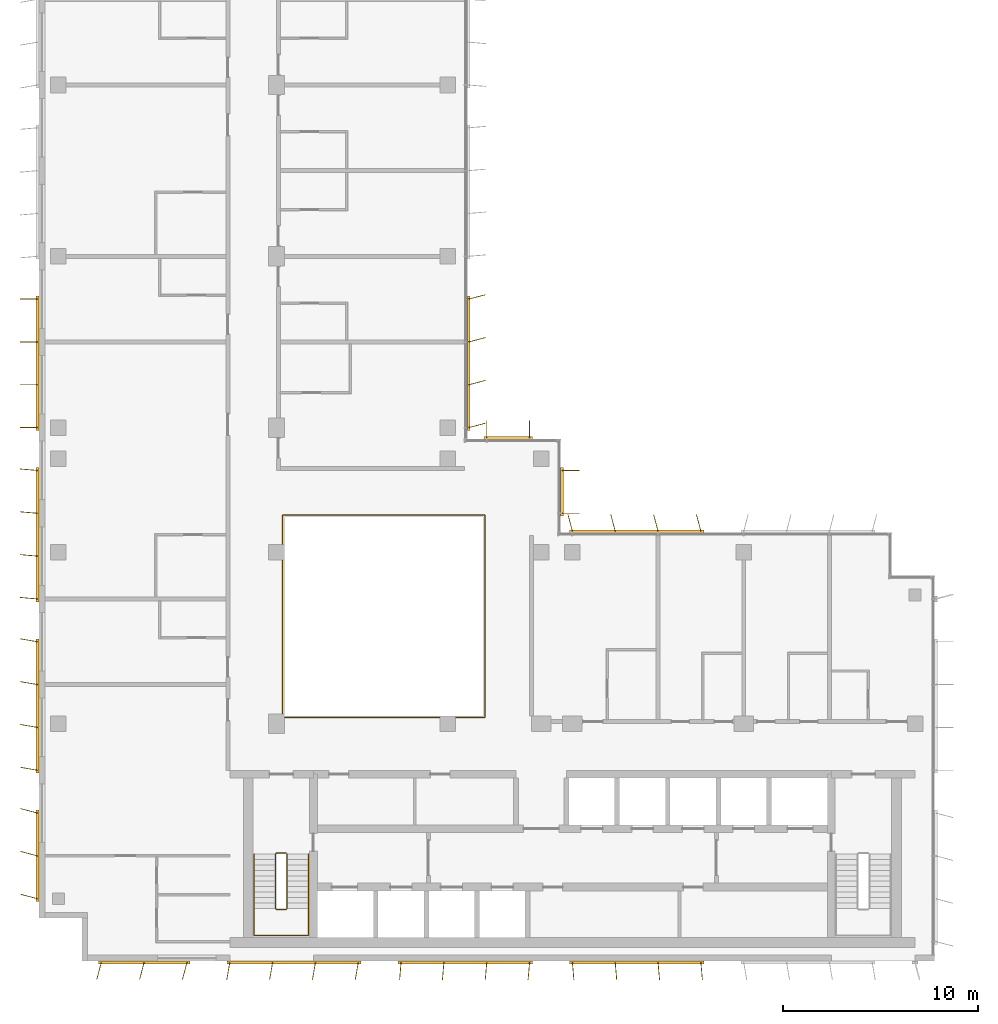
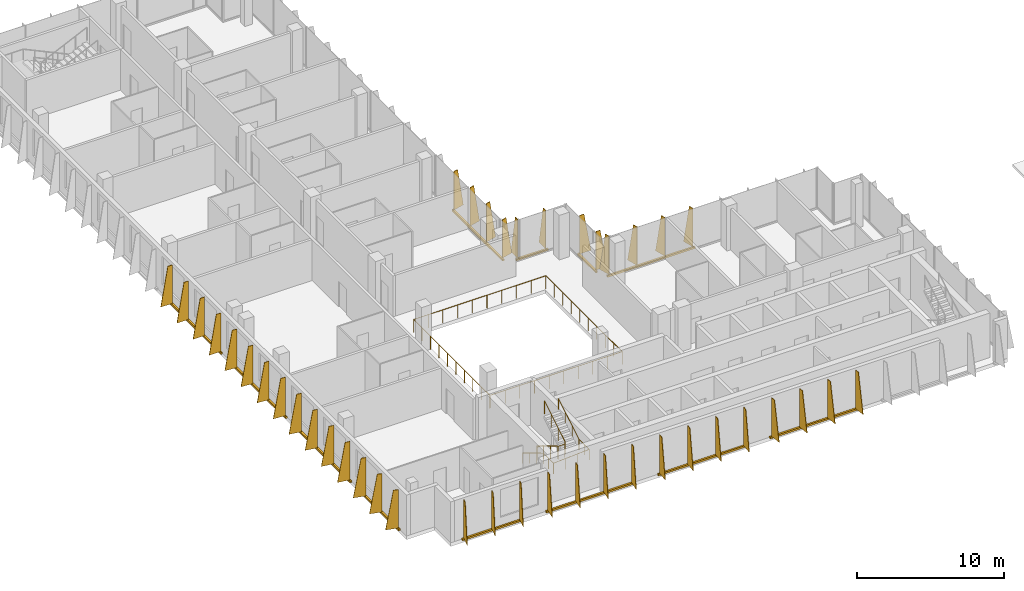
# One storey, part 15 of 17: 12 shading devices, 3 railings.
"""IFC4 building model written with IfcOpenShell, lengths in metres."""

from ifc_helpers import new_model, si_unit, direction, frame, origin, origin_2d, place, context, subcontext, project, spatial, polyline, rectangle, circle, outline, extrude, source, transform, mapped, material, layer, layer_set, type_object, element, save


model = new_model("IFC4")

# Units and contexts
model_context = context("Model", 3, precision=1e-05, world=origin(), true_north=direction((0.0, 1.0)))
body_context = subcontext(model_context, "Body", "Model", "MODEL_VIEW")
ifc_project = project(units=[si_unit("LENGTHUNIT", "METRE"), si_unit("AREAUNIT", "SQUARE_METRE"), si_unit("VOLUMEUNIT", "CUBIC_METRE"), si_unit("PLANEANGLEUNIT", "RADIAN"), si_unit("MASSUNIT", "GRAM", prefix="KILO")], contexts=[model_context])

# Site, building, storey
site_placement = place(None, origin())
site = spatial("IfcSite", under=ifc_project, at=site_placement, CompositionType="ELEMENT")
building_placement = place(site_placement, origin())
building = spatial("IfcBuilding", under=site, at=building_placement, Name="Kemantara Hotel Tower", CompositionType="ELEMENT")
storey_placement = place(building_placement, frame((0.0, 0.0, 226.5)))
storey = spatial("IfcBuildingStorey", under=building, at=storey_placement, Name="L56", CompositionType="ELEMENT", Elevation=226.5)

# Railings
ifc_material_1 = material(Name="Stainless steel and laminated glass balustrade", Category="steel")
railing_type_1 = type_object("IfcRailingType", Name="ATRIUM GUARD 1100", PredefinedType="GUARDRAIL", material=ifc_material_1)
railing_1_placement = place(storey_placement, frame((12.56005859375, 12.5, 0.0)))
element("IfcRailing", 1, at=railing_1_placement, inside=storey, type_object=railing_type_1, Name="ATRIUM GUARD L56", PredefinedType="GUARDRAIL", context=body_context, shape_type="SweptSolid", body=[
    extrude(circle(Radius=0.02490234375, at=origin_2d()), frame((0.0, 0.0, 1.0751953125), z_axis=(1.0, 0.0, 0.0), x_axis=(0.0, 1.0, 0.0)), (0.0, 0.0, 1.0), 10.33984375),
    extrude(circle(Radius=0.02490234375, at=origin_2d()), frame((10.33984375, 0.0, 1.0751953125), z_axis=(0.0, 1.0, 0.0), x_axis=(-1.0, 0.0, 0.0)), (0.0, 0.0, 1.0), 10.39990234375),
    extrude(circle(Radius=0.02490234375, at=origin_2d()), frame((10.33984375, 10.39990234375, 1.0751953125), z_axis=(-1.0, 0.0, 0.0), x_axis=(0.0, -1.0, 0.0)), (0.0, 0.0, 1.0), 10.39990234375),
    extrude(circle(Radius=0.02490234375, at=origin_2d()), frame((-0.06005859375, 10.39990234375, 1.0751953125), z_axis=(0.0, -1.0, 0.0), x_axis=(1.0, 0.0, 0.0)), (0.0, 0.0, 1.0), 10.39990234375),
    extrude(circle(Radius=0.02001953125, at=origin_2d()), origin(), (0.0, 0.0, 1.0), 1.050048828125),
    extrude(circle(Radius=0.02001953125, at=origin_2d()), frame((1.14892578125, 0.0, 0.0)), (0.0, 0.0, 1.0), 1.050048828125),
    extrude(circle(Radius=0.02001953125, at=origin_2d()), frame((2.2978515625, 0.0, 0.0)), (0.0, 0.0, 1.0), 1.050048828125),
    extrude(circle(Radius=0.02001953125, at=origin_2d()), frame((3.446533203125, 0.0, 0.0)), (0.0, 0.0, 1.0), 1.050048828125),
    extrude(circle(Radius=0.02001953125, at=origin_2d()), frame((4.595458984375, 0.0, 0.0)), (0.0, 0.0, 1.0), 1.050048828125),
    extrude(circle(Radius=0.02001953125, at=origin_2d()), frame((5.744384765625, 0.0, 0.0)), (0.0, 0.0, 1.0), 1.050048828125),
    extrude(circle(Radius=0.02001953125, at=origin_2d()), frame((6.893310546875, 0.0, 0.0)), (0.0, 0.0, 1.0), 1.050048828125),
    extrude(circle(Radius=0.02001953125, at=origin_2d()), frame((8.0419921875, 0.0, 0.0)), (0.0, 0.0, 1.0), 1.050048828125),
    extrude(circle(Radius=0.02001953125, at=origin_2d()), frame((9.19091796875, 0.0, 0.0)), (0.0, 0.0, 1.0), 1.050048828125),
    extrude(circle(Radius=0.02001953125, at=origin_2d()), frame((10.33984375, 0.0, 0.0)), (0.0, 0.0, 1.0), 1.050048828125),
    extrude(circle(Radius=0.02001953125, at=origin_2d()), frame((10.33984375, 1.155517578125, 0.0)), (0.0, 0.0, 1.0), 1.050048828125),
    extrude(circle(Radius=0.02001953125, at=origin_2d()), frame((10.33984375, 2.31103515625, 0.0)), (0.0, 0.0, 1.0), 1.050048828125),
    extrude(circle(Radius=0.02001953125, at=origin_2d()), frame((10.33984375, 3.466552734375, 0.0)), (0.0, 0.0, 1.0), 1.050048828125),
    extrude(circle(Radius=0.02001953125, at=origin_2d()), frame((10.33984375, 4.6220703125, 0.0)), (0.0, 0.0, 1.0), 1.050048828125),
    extrude(circle(Radius=0.02001953125, at=origin_2d()), frame((10.33984375, 5.77783203125, 0.0)), (0.0, 0.0, 1.0), 1.050048828125),
    extrude(circle(Radius=0.02001953125, at=origin_2d()), frame((10.33984375, 6.933349609375, 0.0)), (0.0, 0.0, 1.0), 1.050048828125),
    extrude(circle(Radius=0.02001953125, at=origin_2d()), frame((10.33984375, 8.0888671875, 0.0)), (0.0, 0.0, 1.0), 1.050048828125),
    extrude(circle(Radius=0.02001953125, at=origin_2d()), frame((10.33984375, 9.244384765625, 0.0)), (0.0, 0.0, 1.0), 1.050048828125),
    extrude(circle(Radius=0.02001953125, at=origin_2d()), frame((10.33984375, 10.39990234375, 0.0)), (0.0, 0.0, 1.0), 1.050048828125),
    extrude(circle(Radius=0.02001953125, at=origin_2d()), frame((9.184326171875, 10.39990234375, 0.0)), (0.0, 0.0, 1.0), 1.050048828125),
    extrude(circle(Radius=0.02001953125, at=origin_2d()), frame((8.02880859375, 10.39990234375, 0.0)), (0.0, 0.0, 1.0), 1.050048828125),
    extrude(circle(Radius=0.02001953125, at=origin_2d()), frame((6.873291015625, 10.39990234375, 0.0)), (0.0, 0.0, 1.0), 1.050048828125),
    extrude(circle(Radius=0.02001953125, at=origin_2d()), frame((5.7177734375, 10.39990234375, 0.0)), (0.0, 0.0, 1.0), 1.050048828125),
    extrude(circle(Radius=0.02001953125, at=origin_2d()), frame((4.56201171875, 10.39990234375, 0.0)), (0.0, 0.0, 1.0), 1.050048828125),
    extrude(circle(Radius=0.02001953125, at=origin_2d()), frame((3.406494140625, 10.39990234375, 0.0)), (0.0, 0.0, 1.0), 1.050048828125),
    extrude(circle(Radius=0.02001953125, at=origin_2d()), frame((2.2509765625, 10.39990234375, 0.0)), (0.0, 0.0, 1.0), 1.050048828125),
    extrude(circle(Radius=0.02001953125, at=origin_2d()), frame((1.095458984375, 10.39990234375, 0.0)), (0.0, 0.0, 1.0), 1.050048828125),
    extrude(circle(Radius=0.02001953125, at=origin_2d()), frame((-0.06005859375, 10.39990234375, 0.0)), (0.0, 0.0, 1.0), 1.050048828125),
    extrude(circle(Radius=0.02001953125, at=origin_2d()), frame((-0.06005859375, 9.244384765625, 0.0)), (0.0, 0.0, 1.0), 1.050048828125),
    extrude(circle(Radius=0.02001953125, at=origin_2d()), frame((-0.06005859375, 8.0888671875, 0.0)), (0.0, 0.0, 1.0), 1.050048828125),
    extrude(circle(Radius=0.02001953125, at=origin_2d()), frame((-0.06005859375, 6.933349609375, 0.0)), (0.0, 0.0, 1.0), 1.050048828125),
    extrude(circle(Radius=0.02001953125, at=origin_2d()), frame((-0.06005859375, 5.77783203125, 0.0)), (0.0, 0.0, 1.0), 1.050048828125),
    extrude(circle(Radius=0.02001953125, at=origin_2d()), frame((-0.06005859375, 4.6220703125, 0.0)), (0.0, 0.0, 1.0), 1.050048828125),
    extrude(circle(Radius=0.02001953125, at=origin_2d()), frame((-0.06005859375, 3.466552734375, 0.0)), (0.0, 0.0, 1.0), 1.050048828125),
    extrude(circle(Radius=0.02001953125, at=origin_2d()), frame((-0.06005859375, 2.31103515625, 0.0)), (0.0, 0.0, 1.0), 1.050048828125),
    extrude(circle(Radius=0.02001953125, at=origin_2d()), frame((-0.06005859375, 1.155517578125, 0.0)), (0.0, 0.0, 1.0), 1.050048828125),
    extrude(circle(Radius=0.02001953125, at=origin_2d()), frame((-0.06005859375, 0.0, 0.0)), (0.0, 0.0, 1.0), 1.050048828125),
])
ifc_material_2 = material(Name="Stainless steel balustrade", Category="steel")
railing_type_2 = type_object("IfcRailingType", Name="Stair guard 1100 mm", PredefinedType="GUARDRAIL", material=ifc_material_2)
railing_2_placement = place(storey_placement, frame((12.75, 5.5, 3.699951171875)))
element("IfcRailing", 2, at=railing_2_placement, inside=storey, type_object=railing_type_2, Name="L56 ST1 stair guard 1", PredefinedType="GUARDRAIL", context=body_context, shape_type="SweptSolid", body=[
    extrude(circle(Radius=0.02392578125, at=origin_2d()), frame((0.0, 0.0, 1.076171875), z_axis=(0.0, -0.857242210791, -0.514913383045), x_axis=(1.0, 0.0, 0.0)), (0.0, 0.0, 1.0), 3.266357421875),
    extrude(circle(Radius=0.02392578125, at=origin_2d()), frame((0.0, -2.800048828125, -0.60595703125), z_axis=(-0.274582412415, -0.274582412415, -0.921525364591), x_axis=(0.707106781187, -0.707106781187, 0.0)), (0.0, 0.0, 1.0), 0.182373046875),
    extrude(circle(Radius=0.02392578125, at=origin_2d()), frame((-0.050048828125, -2.85009765625, -0.77392578125), z_axis=(-1.0, 0.0, 0.0), x_axis=(0.0, -1.0, 0.0)), (0.0, 0.0, 1.0), 0.5),
    extrude(circle(Radius=0.02392578125, at=origin_2d()), frame((-0.550048828125, -2.85009765625, -0.77392578125), z_axis=(-0.707106781187, 0.707106781187, 0.0), x_axis=(-0.707106781187, -0.707106781187, 0.0)), (0.0, 0.0, 1.0), 0.07080078125),
    extrude(circle(Radius=0.02392578125, at=origin_2d()), frame((-0.60009765625, -2.800048828125, -0.77392578125), z_axis=(0.0, 0.857242210791, -0.514913383045), x_axis=(-1.0, 0.0, 0.0)), (0.0, 0.0, 1.0), 3.266357421875),
    extrude(circle(Radius=0.02392578125, at=origin_2d()), frame((-0.60009765625, 0.0, -2.45556640625), z_axis=(0.274243871929, 0.274243871929, -0.92172696468), x_axis=(-0.707106781187, 0.707106781187, 0.0)), (0.0, 0.0, 1.0), 0.1826171875),
    extrude(circle(Radius=0.02392578125, at=origin_2d()), frame((-0.550048828125, 0.050048828125, -2.6240234375), z_axis=(1.0, 0.0, 0.0), x_axis=(0.0, 1.0, 0.0)), (0.0, 0.0, 1.0), 0.5),
    extrude(circle(Radius=0.02099609375, at=origin_2d()), origin(), (0.0, 0.0, 1.0), 1.052001953125),
    extrude(circle(Radius=0.02099609375, at=origin_2d()), frame((0.0, -0.933349609375, -0.560546875)), (0.0, 0.0, 1.0), 1.052001953125),
    extrude(circle(Radius=0.02099609375, at=origin_2d()), frame((0.0, -1.86669921875, -1.121337890625)), (0.0, 0.0, 1.0), 1.052001953125),
    extrude(circle(Radius=0.02099609375, at=origin_2d()), frame((0.0, -2.800048828125, -1.681884765625)), (0.0, 0.0, 1.0), 1.052001953125),
    extrude(circle(Radius=0.02099609375, at=origin_2d()), frame((-0.050048828125, -2.85009765625, -1.849853515625)), (0.0, 0.0, 1.0), 1.052001953125),
    extrude(circle(Radius=0.02099609375, at=origin_2d()), frame((-0.550048828125, -2.85009765625, -1.849853515625)), (0.0, 0.0, 1.0), 1.052001953125),
    extrude(circle(Radius=0.02099609375, at=origin_2d()), frame((-0.60009765625, -2.800048828125, -1.849853515625)), (0.0, 0.0, 1.0), 1.052001953125),
    extrude(circle(Radius=0.02099609375, at=origin_2d()), frame((-0.60009765625, -1.86669921875, -2.410400390625)), (0.0, 0.0, 1.0), 1.052001953125),
    extrude(circle(Radius=0.02099609375, at=origin_2d()), frame((-0.60009765625, -0.933349609375, -2.97119140625)), (0.0, 0.0, 1.0), 1.052001953125),
    extrude(circle(Radius=0.02099609375, at=origin_2d()), frame((-0.60009765625, 0.0, -3.53173828125)), (0.0, 0.0, 1.0), 1.052001953125),
    extrude(circle(Radius=0.02099609375, at=origin_2d()), frame((-0.550048828125, 0.050048828125, -3.699951171875)), (0.0, 0.0, 1.0), 1.052001953125),
    extrude(circle(Radius=0.02099609375, at=origin_2d()), frame((-0.050048828125, 0.050048828125, -3.699951171875)), (0.0, 0.0, 1.0), 1.052001953125),
])
railing_type_3 = type_object("IfcRailingType", Name="Stair handrail 900 mm", PredefinedType="HANDRAIL", material=ifc_material_2)
railing_3_placement = place(storey_placement, frame((11.050048828125, 5.5, 0.168212890625)))
element("IfcRailing", 3, at=railing_3_placement, inside=storey, type_object=railing_type_3, Name="L56 ST1 stair handrail 1", PredefinedType="HANDRAIL", context=body_context, shape_type="SweptSolid", body=[
    extrude(circle(Radius=0.02392578125, at=origin_2d()), frame((0.0, 0.0, 0.8759765625), z_axis=(0.0, -0.857242210791, 0.514913383045), x_axis=(1.0, 0.0, 0.0)), (0.0, 0.0, 1.0), 3.266357421875),
    extrude(circle(Radius=0.02392578125, at=origin_2d()), frame((0.0, -2.800048828125, 2.5576171875), z_axis=(0.0, -1.0, 0.0), x_axis=(1.0, 0.0, 0.0)), (0.0, 0.0, 1.0), 1.3798828125),
    extrude(circle(Radius=0.02392578125, at=origin_2d()), frame((0.0, -4.179931640625, 2.5576171875), z_axis=(0.998205573864, 0.0, 0.059880149518), x_axis=(0.0, 1.0, 0.0)), (0.0, 0.0, 1.0), 2.80517578125),
    extrude(circle(Radius=0.02392578125, at=origin_2d()), frame((2.800048828125, -4.179931640625, 2.7255859375), z_axis=(0.0, 1.0, 0.0), x_axis=(-1.0, 0.0, 0.0)), (0.0, 0.0, 1.0), 1.3798828125),
    extrude(circle(Radius=0.02392578125, at=origin_2d()), frame((2.800048828125, -2.800048828125, 2.7255859375), z_axis=(0.0, 0.857242210791, 0.514913383045), x_axis=(-1.0, 0.0, 0.0)), (0.0, 0.0, 1.0), 3.266357421875),
    extrude(circle(Radius=0.02099609375, at=origin_2d()), origin(), (0.0, 0.0, 1.0), 0.851806640625),
    extrude(circle(Radius=0.02099609375, at=origin_2d()), frame((0.0, -0.933349609375, 0.560546875)), (0.0, 0.0, 1.0), 0.851806640625),
    extrude(circle(Radius=0.02099609375, at=origin_2d()), frame((0.0, -1.86669921875, 1.121337890625)), (0.0, 0.0, 1.0), 0.851806640625),
    extrude(circle(Radius=0.02099609375, at=origin_2d()), frame((0.0, -2.800048828125, 1.681884765625)), (0.0, 0.0, 1.0), 0.851806640625),
    extrude(circle(Radius=0.02099609375, at=origin_2d()), frame((0.0, -3.489990234375, 1.681884765625)), (0.0, 0.0, 1.0), 0.851806640625),
    extrude(circle(Radius=0.02099609375, at=origin_2d()), frame((0.0, -4.179931640625, 1.681884765625)), (0.0, 0.0, 1.0), 0.851806640625),
    extrude(circle(Radius=0.02099609375, at=origin_2d()), frame((0.933349609375, -4.179931640625, 1.73779296875)), (0.0, 0.0, 1.0), 0.851806640625),
    extrude(circle(Radius=0.02099609375, at=origin_2d()), frame((1.86669921875, -4.179931640625, 1.7939453125)), (0.0, 0.0, 1.0), 0.851806640625),
    extrude(circle(Radius=0.02099609375, at=origin_2d()), frame((2.800048828125, -4.179931640625, 1.849853515625)), (0.0, 0.0, 1.0), 0.851806640625),
    extrude(circle(Radius=0.02099609375, at=origin_2d()), frame((2.800048828125, -3.489990234375, 1.849853515625)), (0.0, 0.0, 1.0), 0.851806640625),
    extrude(circle(Radius=0.02099609375, at=origin_2d()), frame((2.800048828125, -2.800048828125, 1.849853515625)), (0.0, 0.0, 1.0), 0.851806640625),
    extrude(circle(Radius=0.02099609375, at=origin_2d()), frame((2.800048828125, -1.86669921875, 2.410400390625)), (0.0, 0.0, 1.0), 0.851806640625),
    extrude(circle(Radius=0.02099609375, at=origin_2d()), frame((2.800048828125, -0.933349609375, 2.97119140625)), (0.0, 0.0, 1.0), 0.851806640625),
    extrude(circle(Radius=0.02099609375, at=origin_2d()), frame((2.800048828125, 0.0, 3.53173828125)), (0.0, 0.0, 1.0), 0.851806640625),
])

# Shading devices
ifc_material_3 = material(Name="Perforated aluminium plate 4 mm bronze anodised", Category="aluminium")
ifc_layer_1 = layer(ifc_material_3, 0.0400390625)
ifc_layer_set_1 = layer_set([ifc_layer_1], Name="Perforated aluminium plate 4 mm bronze anodised")
shading_device_type_1 = type_object("IfcShadingDeviceType", Name="SCREEN FIN CASSETTE, 3 BLADES AT -15.0 DEG, 3200 HIGH", PredefinedType="USERDEFINED", material=ifc_layer_set_1)
shared_shape_1 = source(origin(), body_context, "Body", "SweptSolid", [
    extrude(rectangle(XDim=4.699951171875, YDim=0.14990234375, at=origin_2d()), frame((2.199951171875, -0.074951171875, -0.14990234375), z_axis=(0.0, 0.0, 1.0), x_axis=(1.0, 0.0, 0.0)), (0.0, 0.0, 1.0), 0.14990234375),
    extrude(outline(polyline([(0.0, 0.0), (0.89990234375, 0.0), (0.35009765625, 3.199951171875), (0.0, 3.199951171875), (0.0, 0.0)])), frame((0.019287109375, -0.080078125, 0.0), z_axis=(-0.966437683387, 0.256901156343, 0.0), x_axis=(-0.256901156343, -0.966437683387, 0.0)), (0.0, 0.0, 1.0), 0.039794921875),
    extrude(outline(polyline([(0.0, 0.0), (0.89990234375, 0.0), (0.35009765625, 3.199951171875), (0.0, 3.199951171875), (0.0, 0.0)])), frame((2.21923828125, -0.080078125, 0.0), z_axis=(-0.966437683387, 0.256901156343, 0.0), x_axis=(-0.256901156343, -0.966437683387, 0.0)), (0.0, 0.0, 1.0), 0.039794921875),
    extrude(outline(polyline([(0.0, 0.0), (0.89990234375, 0.0), (0.35009765625, 3.199951171875), (0.0, 3.199951171875), (0.0, 0.0)])), frame((4.41943359375, -0.080078125, 0.0), z_axis=(-0.966837822169, 0.255391122837, 0.0), x_axis=(-0.255391122837, -0.966837822169, 0.0)), (0.0, 0.0, 1.0), 0.0400390625),
])
for number, where, z_axis, x_axis, name in (
    (4, (0.0, 7.60009765625, 0.10009765625), (0.0, 0.0, 1.0), (0.0, -1.0, 0.0), "SCREEN FIN CASSETTE L56 T4-R05-7"),
    (5, (3.199951171875, 0.0, 0.10009765625), (0.0, 0.0, 1.0), (1.0, 0.0, 0.0), "SCREEN FIN CASSETTE L56 T4-R08-1"),
):
    element("IfcShadingDevice", number, at=place(storey_placement, frame(where, z_axis=z_axis, x_axis=x_axis)), inside=storey, type_object=shading_device_type_1, Name=name, ObjectType="SCREEN FIN", PredefinedType="USERDEFINED", context=body_context, shape_type="MappedRepresentation", body=[
        mapped(shared_shape_1, transform((0.0, 0.0, 0.0))),
    ])
ifc_layer_2 = layer(ifc_material_3, 0.0400390625)
ifc_layer_set_2 = layer_set([ifc_layer_2], Name="Perforated aluminium plate 4 mm bronze anodised")
shading_device_type_2 = type_object("IfcShadingDeviceType", Name="SCREEN FIN CASSETTE, 4 BLADES AT -10.0 DEG, 3200 HIGH", PredefinedType="USERDEFINED", material=ifc_layer_set_2)
shared_shape_2 = source(origin(), body_context, "Body", "SweptSolid", [
    extrude(rectangle(XDim=6.89990234375, YDim=0.14990234375, at=origin_2d()), frame((3.300048828125, -0.074951171875, -0.14990234375), z_axis=(0.0, 0.0, 1.0), x_axis=(1.0, 0.0, 0.0)), (0.0, 0.0, 1.0), 0.14990234375),
    extrude(outline(polyline([(0.0, 0.0), (0.89990234375, 0.0), (0.35009765625, 3.199951171875), (0.0, 3.199951171875), (0.0, 0.0)])), frame((0.019775390625, -0.078369140625, 0.0), z_axis=(-0.985389793052, 0.170314285219, 0.0), x_axis=(-0.170314285219, -0.985389793052, 0.0)), (0.0, 0.0, 1.0), 0.0400390625),
    extrude(outline(polyline([(0.0, 0.0), (0.89990234375, 0.0), (0.35009765625, 3.199951171875), (0.0, 3.199951171875), (0.0, 0.0)])), frame((2.2197265625, -0.078369140625, 0.0), z_axis=(-0.98521175482, 0.171341174751, 0.0), x_axis=(-0.171341174751, -0.98521175482, 0.0)), (0.0, 0.0, 1.0), 0.039794921875),
    extrude(outline(polyline([(0.0, 0.0), (0.89990234375, 0.0), (0.35009765625, 3.199951171875), (0.0, 3.199951171875), (0.0, 0.0)])), frame((4.419677734375, -0.078369140625, 0.0), z_axis=(-0.98521175482, 0.171341174751, 0.0), x_axis=(-0.171341174751, -0.98521175482, 0.0)), (0.0, 0.0, 1.0), 0.039794921875),
    extrude(outline(polyline([(0.0, 0.0), (0.89990234375, 0.0), (0.35009765625, 3.199951171875), (0.0, 3.199951171875), (0.0, 0.0)])), frame((6.61962890625, -0.078369140625, 0.0), z_axis=(-0.98521175482, 0.171341174751, 0.0), x_axis=(-0.171341174751, -0.98521175482, 0.0)), (0.0, 0.0, 1.0), 0.039794921875),
])
for number, where, z_axis, x_axis, name in (
    (6, (0.0, 16.39990234375, 0.10009765625), (0.0, 0.0, 1.0), (0.0, -1.0, 0.0), "SCREEN FIN CASSETTE L56 T4-R05-6"),
    (7, (9.800048828125, 0.0, 0.10009765625), (0.0, 0.0, 1.0), (1.0, 0.0, 0.0), "SCREEN FIN CASSETTE L56 T4-R08-2"),
):
    element("IfcShadingDevice", number, at=place(storey_placement, frame(where, z_axis=z_axis, x_axis=x_axis)), inside=storey, type_object=shading_device_type_2, Name=name, ObjectType="SCREEN FIN", PredefinedType="USERDEFINED", context=body_context, shape_type="MappedRepresentation", body=[
        mapped(shared_shape_2, transform((0.0, 0.0, 0.0))),
    ])
ifc_layer_3 = layer(ifc_material_3, 0.0400390625)
ifc_layer_set_3 = layer_set([ifc_layer_3], Name="Perforated aluminium plate 4 mm bronze anodised")
shading_device_type_3 = type_object("IfcShadingDeviceType", Name="SCREEN FIN CASSETTE, 4 BLADES AT -5.0 DEG, 3200 HIGH", PredefinedType="USERDEFINED", material=ifc_layer_set_3)
shared_shape_3 = source(origin(), body_context, "Body", "SweptSolid", [
    extrude(rectangle(XDim=6.89990234375, YDim=0.14990234375, at=origin_2d()), frame((3.300048828125, -0.074951171875, -0.14990234375), z_axis=(0.0, 0.0, 1.0), x_axis=(1.0, 0.0, 0.0)), (0.0, 0.0, 1.0), 0.14990234375),
    extrude(outline(polyline([(0.0, 0.0), (0.89990234375, 0.0), (0.35009765625, 3.199951171875), (0.0, 3.199951171875), (0.0, 0.0)])), frame((0.02001953125, -0.07666015625, 0.0), z_axis=(-0.996376129781, 0.085056498884, 0.0), x_axis=(-0.085056498884, -0.996376129781, 0.0)), (0.0, 0.0, 1.0), 0.040283203125),
    extrude(outline(polyline([(0.0, 0.0), (0.89990234375, 0.0), (0.35009765625, 3.199951171875), (0.0, 3.199951171875), (0.0, 0.0)])), frame((2.219970703125, -0.07666015625, 0.0), z_axis=(-0.996331773833, 0.085574508182, 0.0), x_axis=(-0.085574508182, -0.996331773833, 0.0)), (0.0, 0.0, 1.0), 0.0400390625),
    extrude(outline(polyline([(0.0, 0.0), (0.89990234375, 0.0), (0.35009765625, 3.199951171875), (0.0, 3.199951171875), (0.0, 0.0)])), frame((4.419921875, -0.07666015625, 0.0), z_axis=(-0.996331773833, 0.085574508182, 0.0), x_axis=(-0.085574508182, -0.996331773833, 0.0)), (0.0, 0.0, 1.0), 0.0400390625),
    extrude(outline(polyline([(0.0, 0.0), (0.89990234375, 0.0), (0.35009765625, 3.199951171875), (0.0, 3.199951171875), (0.0, 0.0)])), frame((6.619873046875, -0.07666015625, 0.0), z_axis=(-0.996331773833, 0.085574508182, 0.0), x_axis=(-0.085574508182, -0.996331773833, 0.0)), (0.0, 0.0, 1.0), 0.0400390625),
])
for number, where, z_axis, x_axis, name in (
    (8, (0.0, 25.199951171875, 0.10009765625), (0.0, 0.0, 1.0), (0.0, -1.0, 0.0), "SCREEN FIN CASSETTE L56 T4-R05-5"),
    (9, (18.60009765625, 0.0, 0.10009765625), (0.0, 0.0, 1.0), (1.0, 0.0, 0.0), "SCREEN FIN CASSETTE L56 T4-R08-3"),
):
    element("IfcShadingDevice", number, at=place(storey_placement, frame(where, z_axis=z_axis, x_axis=x_axis)), inside=storey, type_object=shading_device_type_3, Name=name, ObjectType="SCREEN FIN", PredefinedType="USERDEFINED", context=body_context, shape_type="MappedRepresentation", body=[
        mapped(shared_shape_3, transform((0.0, 0.0, 0.0))),
    ])
ifc_layer_4 = layer(ifc_material_3, 0.0400390625)
ifc_layer_set_4 = layer_set([ifc_layer_4], Name="Perforated aluminium plate 4 mm bronze anodised")
shading_device_type_4 = type_object("IfcShadingDeviceType", Name="SCREEN FIN CASSETTE, 4 BLADES AT +0.0 DEG, 3200 HIGH", PredefinedType="USERDEFINED", material=ifc_layer_set_4)
shared_shape_4 = source(origin(), body_context, "Body", "SweptSolid", [
    extrude(rectangle(XDim=6.89990234375, YDim=0.14990234375, at=origin_2d()), frame((3.300048828125, -0.074951171875, -0.14990234375), z_axis=(0.0, 0.0, 1.0), x_axis=(1.0, 0.0, 0.0)), (0.0, 0.0, 1.0), 0.14990234375),
    extrude(outline(polyline([(0.0, 0.0), (0.89990234375, 0.0), (0.35009765625, 3.199951171875), (0.0, 3.199951171875), (0.0, 0.0)])), frame((0.02001953125, -0.074951171875, 0.0), z_axis=(-1.0, 0.0, 0.0), x_axis=(0.0, -1.0, 0.0)), (0.0, 0.0, 1.0), 0.0400390625),
    extrude(outline(polyline([(0.0, 0.0), (0.89990234375, 0.0), (0.35009765625, 3.199951171875), (0.0, 3.199951171875), (0.0, 0.0)])), frame((2.219970703125, -0.074951171875, 0.0), z_axis=(-1.0, 0.0, 0.0), x_axis=(0.0, -1.0, 0.0)), (0.0, 0.0, 1.0), 0.0400390625),
    extrude(outline(polyline([(0.0, 0.0), (0.89990234375, 0.0), (0.35009765625, 3.199951171875), (0.0, 3.199951171875), (0.0, 0.0)])), frame((4.419921875, -0.074951171875, 0.0), z_axis=(-1.0, 0.0, 0.0), x_axis=(0.0, -1.0, 0.0)), (0.0, 0.0, 1.0), 0.0400390625),
    extrude(outline(polyline([(0.0, 0.0), (0.89990234375, 0.0), (0.35009765625, 3.199951171875), (0.0, 3.199951171875), (0.0, 0.0)])), frame((6.6201171875, -0.074951171875, 0.0), z_axis=(-1.0, 0.0, 0.0), x_axis=(0.0, -1.0, 0.0)), (0.0, 0.0, 1.0), 0.0400390625),
])
shading_device_1_placement = place(storey_placement, frame((0.0, 34.0, 0.10009765625), z_axis=(0.0, 0.0, 1.0), x_axis=(0.0, -1.0, 0.0)))
element("IfcShadingDevice", 10, at=shading_device_1_placement, inside=storey, type_object=shading_device_type_4, Name="SCREEN FIN CASSETTE L56 T4-R05-4", ObjectType="SCREEN FIN", PredefinedType="USERDEFINED", context=body_context, shape_type="MappedRepresentation", body=[
    mapped(shared_shape_4, transform((0.0, 0.0, 0.0))),
])
ifc_layer_5 = layer(ifc_material_3, 0.0400390625)
ifc_layer_set_5 = layer_set([ifc_layer_5], Name="Perforated aluminium plate 4 mm bronze anodised")
shading_device_type_5 = type_object("IfcShadingDeviceType", Name="SCREEN FIN CASSETTE, 4 BLADES AT +5.0 DEG, 3200 HIGH", PredefinedType="USERDEFINED", material=ifc_layer_set_5)
shared_shape_5 = source(origin(), body_context, "Body", "SweptSolid", [
    extrude(rectangle(XDim=6.89990234375, YDim=0.14990234375, at=origin_2d()), frame((3.300048828125, -0.074951171875, -0.14990234375), z_axis=(0.0, 0.0, 1.0), x_axis=(1.0, 0.0, 0.0)), (0.0, 0.0, 1.0), 0.14990234375),
    extrude(outline(polyline([(0.0, 0.0), (0.89990234375, 0.0), (0.35009765625, 3.199951171875), (0.0, 3.199951171875), (0.0, 0.0)])), frame((0.02001953125, -0.0732421875, 0.0), z_axis=(-0.996376129781, -0.085056498884, 0.0), x_axis=(0.085056498884, -0.996376129781, 0.0)), (0.0, 0.0, 1.0), 0.040283203125),
    extrude(outline(polyline([(0.0, 0.0), (0.89990234375, 0.0), (0.35009765625, 3.199951171875), (0.0, 3.199951171875), (0.0, 0.0)])), frame((2.219970703125, -0.0732421875, 0.0), z_axis=(-0.996331773833, -0.085574508182, 0.0), x_axis=(0.085574508182, -0.996331773833, 0.0)), (0.0, 0.0, 1.0), 0.0400390625),
    extrude(outline(polyline([(0.0, 0.0), (0.89990234375, 0.0), (0.35009765625, 3.199951171875), (0.0, 3.199951171875), (0.0, 0.0)])), frame((4.419921875, -0.0732421875, 0.0), z_axis=(-0.996331773833, -0.085574508182, 0.0), x_axis=(0.085574508182, -0.996331773833, 0.0)), (0.0, 0.0, 1.0), 0.0400390625),
    extrude(outline(polyline([(0.0, 0.0), (0.89990234375, 0.0), (0.35009765625, 3.199951171875), (0.0, 3.199951171875), (0.0, 0.0)])), frame((6.619873046875, -0.0732421875, 0.0), z_axis=(-0.996331773833, -0.085574508182, 0.0), x_axis=(0.085574508182, -0.996331773833, 0.0)), (0.0, 0.0, 1.0), 0.0400390625),
])
shading_device_2_placement = place(storey_placement, frame((27.39990234375, 0.0, 0.10009765625), z_axis=(0.0, 0.0, 1.0), x_axis=(1.0, 0.0, 0.0)))
element("IfcShadingDevice", 11, at=shading_device_2_placement, inside=storey, type_object=shading_device_type_5, Name="SCREEN FIN CASSETTE L56 T4-R08-4", ObjectType="SCREEN FIN", PredefinedType="USERDEFINED", context=body_context, shape_type="MappedRepresentation", body=[
    mapped(shared_shape_5, transform((0.0, 0.0, 0.0))),
])
ifc_layer_6 = layer(ifc_material_3, 0.0400390625)
ifc_layer_set_6 = layer_set([ifc_layer_6], Name="Perforated aluminium plate 4 mm bronze anodised")
shading_device_type_6 = type_object("IfcShadingDeviceType", Name="SCREEN FIN CASSETTE, 4 BLADES AT +15.0 DEG, 3200 HIGH", PredefinedType="USERDEFINED", material=ifc_layer_set_6)
shared_shape_6 = source(origin(), body_context, "Body", "SweptSolid", [
    extrude(rectangle(XDim=6.89990234375, YDim=0.14990234375, at=origin_2d()), frame((3.300048828125, -0.074951171875, -0.14990234375), z_axis=(0.0, 0.0, 1.0), x_axis=(1.0, 0.0, 0.0)), (0.0, 0.0, 1.0), 0.14990234375),
    extrude(outline(polyline([(0.0, 0.0), (0.89990234375, 0.0), (0.35009765625, 3.199951171875), (0.0, 3.199951171875), (0.0, 0.0)])), frame((0.019287109375, -0.06982421875, 0.0), z_axis=(-0.966437683387, -0.256901156343, 0.0), x_axis=(0.256901156343, -0.966437683387, 0.0)), (0.0, 0.0, 1.0), 0.039794921875),
    extrude(outline(polyline([(0.0, 0.0), (0.89990234375, 0.0), (0.35009765625, 3.199951171875), (0.0, 3.199951171875), (0.0, 0.0)])), frame((2.21923828125, -0.06982421875, 0.0), z_axis=(-0.966437683387, -0.256901156343, 0.0), x_axis=(0.256901156343, -0.966437683387, 0.0)), (0.0, 0.0, 1.0), 0.039794921875),
    extrude(outline(polyline([(0.0, 0.0), (0.89990234375, 0.0), (0.35009765625, 3.199951171875), (0.0, 3.199951171875), (0.0, 0.0)])), frame((4.41943359375, -0.06982421875, 0.0), z_axis=(-0.966837822169, -0.255391122837, 0.0), x_axis=(0.255391122837, -0.966837822169, 0.0)), (0.0, 0.0, 1.0), 0.0400390625),
    extrude(outline(polyline([(0.0, 0.0), (0.89990234375, 0.0), (0.35009765625, 3.199951171875), (0.0, 3.199951171875), (0.0, 0.0)])), frame((6.619384765625, -0.06982421875, 0.0), z_axis=(-0.966837822169, -0.255391122837, 0.0), x_axis=(0.255391122837, -0.966837822169, 0.0)), (0.0, 0.0, 1.0), 0.0400390625),
])
for number, where, z_axis, x_axis, name in (
    (12, (34.0, 22.0, 0.10009765625), (0.0, 0.0, 1.0), (-1.0, 0.0, 0.0), "SCREEN FIN CASSETTE L56 T4-R12-2"),
    (13, (22.0, 27.39990234375, 0.10009765625), (0.0, 0.0, 1.0), (0.0, 1.0, 0.0), "SCREEN FIN CASSETTE L56 T4-R15-1"),
):
    element("IfcShadingDevice", number, at=place(storey_placement, frame(where, z_axis=z_axis, x_axis=x_axis)), inside=storey, type_object=shading_device_type_6, Name=name, ObjectType="SCREEN FIN", PredefinedType="USERDEFINED", context=body_context, shape_type="MappedRepresentation", body=[
        mapped(shared_shape_6, transform((0.0, 0.0, 0.0))),
    ])
ifc_layer_7 = layer(ifc_material_3, 0.0400390625)
ifc_layer_set_7 = layer_set([ifc_layer_7], Name="Perforated aluminium plate 4 mm bronze anodised")
shading_device_type_7 = type_object("IfcShadingDeviceType", Name="SCREEN FIN CASSETTE, 2 BLADES AT +0.0 DEG, 3200 HIGH", PredefinedType="USERDEFINED", material=ifc_layer_set_7)
shared_shape_7 = source(origin(), body_context, "Body", "SweptSolid", [
    extrude(rectangle(XDim=2.5, YDim=0.14990234375, at=origin_2d()), frame((1.10009765625, -0.074951171875, -0.14990234375), z_axis=(0.0, 0.0, 1.0), x_axis=(1.0, 0.0, 0.0)), (0.0, 0.0, 1.0), 0.14990234375),
    extrude(outline(polyline([(0.0, 0.0), (0.89990234375, 0.0), (0.35009765625, 3.199951171875), (0.0, 3.199951171875), (0.0, 0.0)])), frame((0.02001953125, -0.074951171875, 0.0), z_axis=(-1.0, 0.0, 0.0), x_axis=(0.0, -1.0, 0.0)), (0.0, 0.0, 1.0), 0.0400390625),
    extrude(outline(polyline([(0.0, 0.0), (0.89990234375, 0.0), (0.35009765625, 3.199951171875), (0.0, 3.199951171875), (0.0, 0.0)])), frame((2.219970703125, -0.074951171875, 0.0), z_axis=(-1.0, 0.0, 0.0), x_axis=(0.0, -1.0, 0.0)), (0.0, 0.0, 1.0), 0.0400390625),
])
for number, where, z_axis, x_axis, name in (
    (14, (26.800048828125, 23.0, 0.10009765625), (0.0, 0.0, 1.0), (0.0, 1.0, 0.0), "SCREEN FIN CASSETTE L56 T4-R13-1"),
    (15, (25.199951171875, 26.800048828125, 0.10009765625), (0.0, 0.0, 1.0), (-1.0, 0.0, 0.0), "SCREEN FIN CASSETTE L56 T4-R14-1"),
):
    element("IfcShadingDevice", number, at=place(storey_placement, frame(where, z_axis=z_axis, x_axis=x_axis)), inside=storey, type_object=shading_device_type_7, Name=name, ObjectType="SCREEN FIN", PredefinedType="USERDEFINED", context=body_context, shape_type="MappedRepresentation", body=[
        mapped(shared_shape_7, transform((0.0, 0.0, 0.0))),
    ])

save(model, "model.ifc")
